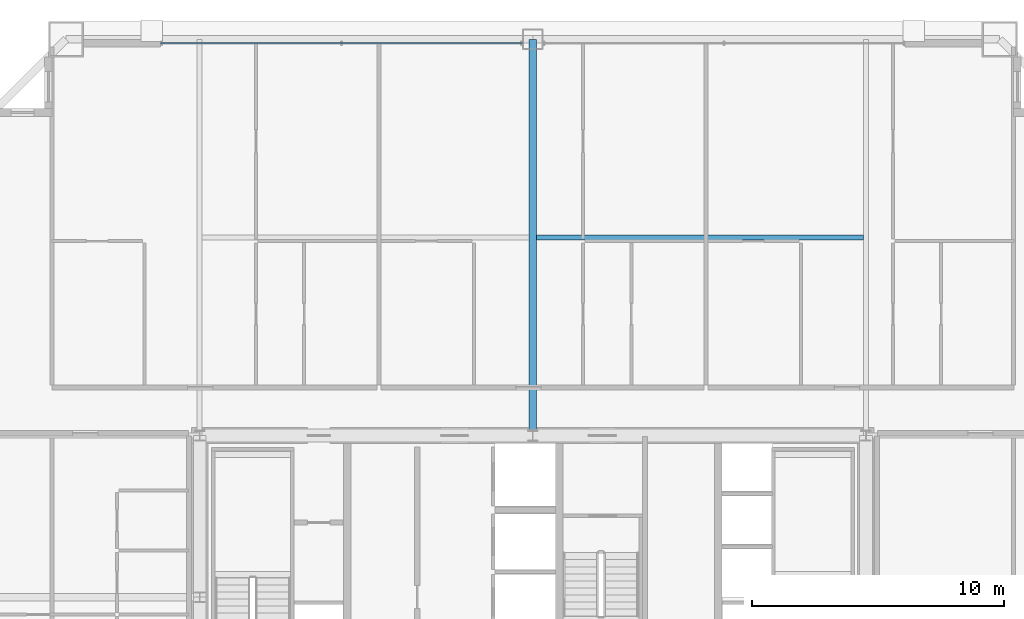
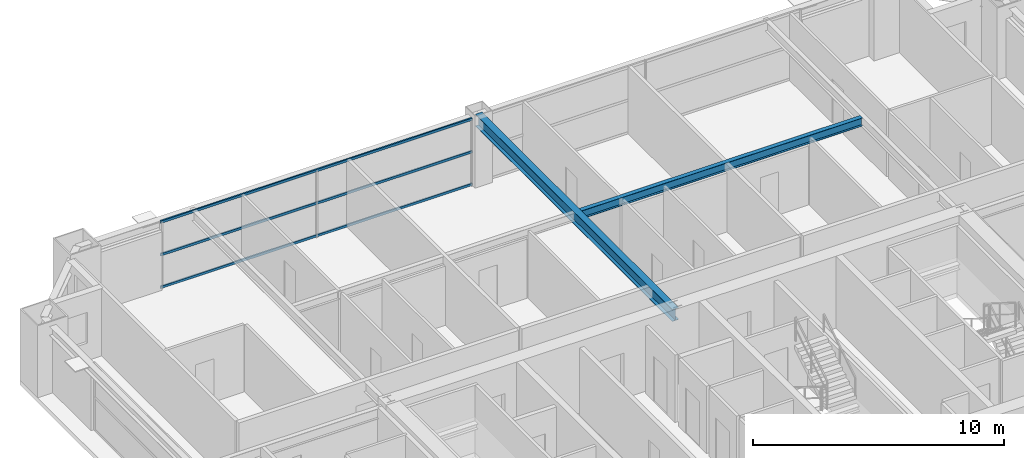
# One storey, part 28 of 38: 3 members, 2 beams, 1 element without a shape of its own.
"""IFC4 building model written with IfcOpenShell, lengths in metres."""

from ifc_helpers import new_model, si_unit, direction, frame, origin, origin_2d, place, context, subcontext, project, spatial, hollow_rectangle, i_section, extrude, source, transform, mapped, material, layer, layer_set, material_profile, profile_set, type_object, element, aggregate, save


model = new_model("IFC4")

# Units and contexts
model_context = context("Model", 3, precision=1e-05, world=origin(), true_north=direction((0.0, 1.0)))
body_context = subcontext(model_context, "Body", "Model", "MODEL_VIEW")
ifc_project = project(units=[si_unit("LENGTHUNIT", "METRE"), si_unit("AREAUNIT", "SQUARE_METRE"), si_unit("VOLUMEUNIT", "CUBIC_METRE"), si_unit("PLANEANGLEUNIT", "RADIAN"), si_unit("MASSUNIT", "GRAM", prefix="KILO"), si_unit("THERMODYNAMICTEMPERATUREUNIT", "KELVIN"), si_unit("POWERUNIT", "WATT")], contexts=[model_context])

# Site, building, storey
site_placement = place(None, origin())
site = spatial("IfcSite", under=ifc_project, at=site_placement, CompositionType="ELEMENT")
building_placement = place(site_placement, origin())
building = spatial("IfcBuilding", under=site, at=building_placement, Name="Yuzanri Waterfront Tower", CompositionType="ELEMENT")
storey_placement = place(building_placement, frame((0.0, 0.0, 202.0)))
storey = spatial("IfcBuildingStorey", under=building, at=storey_placement, Name="L53", CompositionType="ELEMENT", Elevation=202.0)

# Beams
ifc_material_1 = material(Name="Steel Q355B", Category="steel")
ifc_material_profile_1 = material_profile(ifc_material_1, i_section(OverallWidth=0.199951171875, OverallDepth=0.39990234375, WebThickness=0.008056640625, FlangeThickness=0.012939453125, at=origin_2d()), Name="HN 400x200x8x13")
ifc_profile_set_1 = profile_set([ifc_material_profile_1], Name="Steel Q355B")
beam_type_1 = type_object("IfcBeamType", Name="Floor Joist Q355B HN 400x200", PredefinedType="JOIST", material=ifc_profile_set_1)
shared_shape_1 = source(origin(), body_context, "Body", "SweptSolid", [
    extrude(i_section(OverallWidth=0.199951171875, OverallDepth=0.39990234375, WebThickness=0.008056640625, FlangeThickness=0.012939453125, at=origin_2d()), origin(), (0.0, 0.0, 1.0), 12.9501953125),
])
beam_1_placement = place(storey_placement, frame((37.14990234375, 40.050048828125, 3.080078125), z_axis=(1.0, 0.0, 0.0), x_axis=(0.0, 1.0, 0.0)))
element("IfcBeam", 1, at=beam_1_placement, inside=storey, type_object=beam_type_1, Name="L53 North Bay Joist E", PredefinedType="JOIST", context=body_context, shape_type="MappedRepresentation", body=[
    mapped(shared_shape_1, transform((0.0, 0.0, 0.0), scale=1.0)),
])
ifc_material_2 = material(Name="Steel Q355B", Category="steel")
ifc_material_profile_2 = material_profile(ifc_material_2, i_section(OverallWidth=0.300048828125, OverallDepth=0.587890625, WebThickness=0.011962890625, FlangeThickness=0.02001953125, at=origin_2d()), Name="HM 588x300x12x20")
ifc_profile_set_2 = profile_set([ifc_material_profile_2], Name="Steel Q355B")
beam_type_2 = type_object("IfcBeamType", Name="Primary Floor Girder Q355B HM 588x300", PredefinedType="BEAM", material=ifc_profile_set_2)
shared_shape_2 = source(origin(), body_context, "Body", "SweptSolid", [
    extrude(i_section(OverallWidth=0.300048828125, OverallDepth=0.587890625, WebThickness=0.011962890625, FlangeThickness=0.02001953125, at=origin_2d()), origin(), (0.0, 0.0, 1.0), 15.699951171875),
])
beam_2_placement = place(storey_placement, frame((37.0, 32.199951171875, 2.986083984375), z_axis=(0.0, 1.0, 0.0), x_axis=(-1.0, 0.0, 0.0)))
element("IfcBeam", 2, at=beam_2_placement, inside=storey, type_object=beam_type_2, Name="L53 North Grid Girder", PredefinedType="BEAM", context=body_context, shape_type="MappedRepresentation", body=[
    mapped(shared_shape_2, transform((0.0, 0.0, 0.0), scale=1.0)),
])

# Curtain wall, members
ifc_material_3 = material(Name="Anodized Architectural Bronze", Category="metal")
ifc_layer = layer(ifc_material_3, 0.159912109375)
ifc_layer_set = layer_set([ifc_layer], Name="Anodized Architectural Bronze")
curtain_wall_type = type_object("IfcCurtainWallType", Name="Anodized Bronze Mid-Rise Residential Acoustic Unitized Curtain Wall 7200", PredefinedType="NOTDEFINED", material=ifc_layer_set)
curtain_wall_placement = place(storey_placement, origin())
curtain_wall = element("IfcCurtainWall", 3, at=curtain_wall_placement, inside=storey, type_object=curtain_wall_type, Name="L53 Curtain Wall CW-L53-NL", PredefinedType="NOTDEFINED")
ifc_material_4 = material(Name="Anodized Architectural Bronze", Category="metal")
ifc_material_profile_3 = material_profile(ifc_material_4, hollow_rectangle(XDim=0.06494140625, YDim=0.1201171875, WallThickness=0.00341796875, at=origin_2d()), Name="CWT 65x120")
ifc_profile_set_3 = profile_set([ifc_material_profile_3], Name="Anodized Architectural Bronze")
member_type = type_object("IfcMemberType", Name="Anodized Bronze Secondary Curtain-Wall Transom 65x120", PredefinedType="USERDEFINED", material=ifc_profile_set_3)
shared_shape_3 = source(origin(), body_context, "Body", "SweptSolid", [
    extrude(hollow_rectangle(XDim=0.06494140625, YDim=0.1201171875, WallThickness=0.00341796875, at=origin_2d()), origin(), (0.0, 0.0, 1.0), 14.35009765625),
])
member_1_placement = place(storey_placement, frame((22.25, 47.75, 0.050048828125), z_axis=(1.0, 0.0, 0.0), x_axis=(0.0, 1.0, 0.0)))
member_1 = element("IfcMember", 4, at=member_1_placement, type_object=member_type, Name="CW-L53-NL Transom 1", ObjectType="TRANSOM", PredefinedType="USERDEFINED", context=body_context, shape_type="MappedRepresentation", body=[
    mapped(shared_shape_3, transform((0.0, 0.0, 0.0), scale=1.0)),
])
member_2_placement = place(storey_placement, frame((22.25, 47.75, 1.639892578125), z_axis=(1.0, 0.0, 0.0), x_axis=(0.0, 1.0, 0.0)))
member_2 = element("IfcMember", 5, at=member_2_placement, type_object=member_type, Name="CW-L53-NL Transom 2", ObjectType="TRANSOM", PredefinedType="USERDEFINED", context=body_context, shape_type="MappedRepresentation", body=[
    mapped(shared_shape_3, transform((0.0, 0.0, 0.0), scale=1.0)),
])
member_3_placement = place(storey_placement, frame((22.25, 47.75, 3.22998046875), z_axis=(1.0, 0.0, 0.0), x_axis=(0.0, 1.0, 0.0)))
member_3 = element("IfcMember", 6, at=member_3_placement, type_object=member_type, Name="CW-L53-NL Transom 3", ObjectType="TRANSOM", PredefinedType="USERDEFINED", context=body_context, shape_type="MappedRepresentation", body=[
    mapped(shared_shape_3, transform((0.0, 0.0, 0.0), scale=1.0)),
])
aggregate(curtain_wall, [member_1, member_2, member_3])

save(model, "model.ifc")
